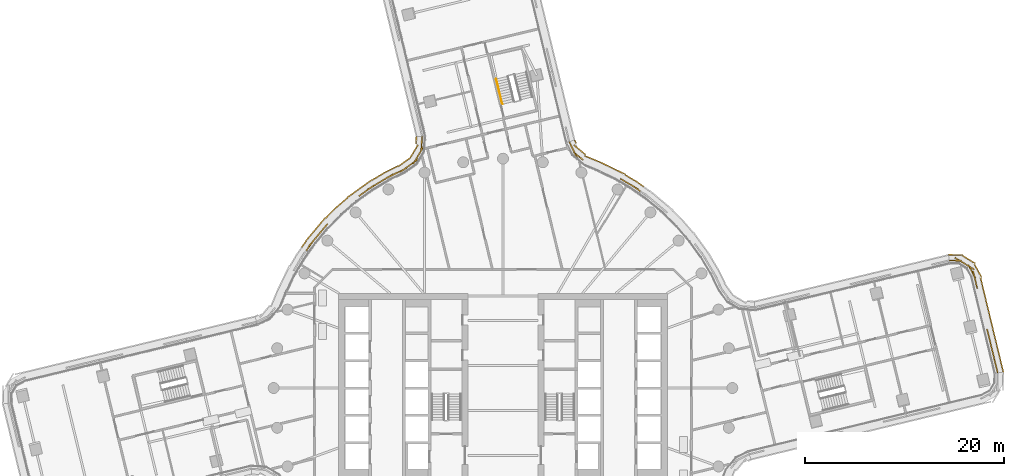
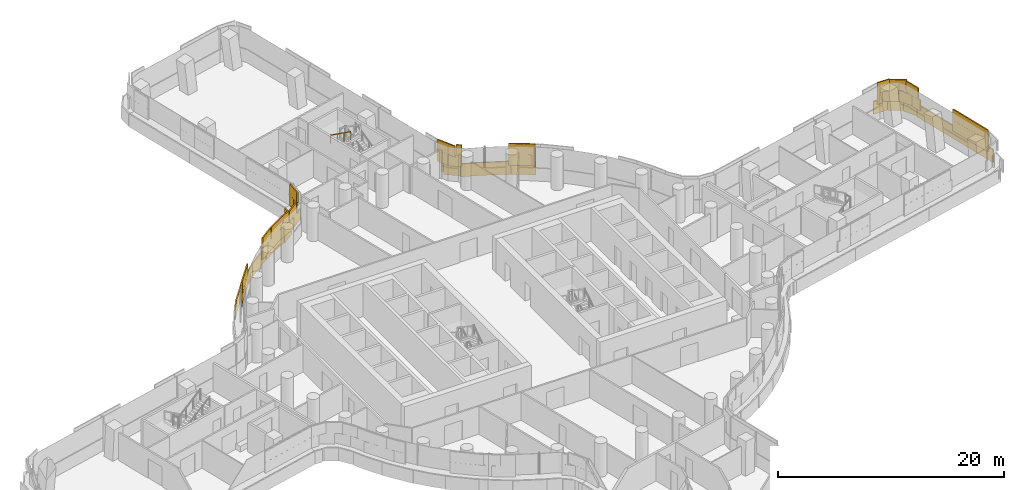
# One storey, part 30 of 33: 3 coverings, 1 railing.
"""IFC4 building model written with IfcOpenShell, lengths in metres."""

from ifc_helpers import new_model, si_unit, direction, frame, origin, origin_2d, place, context, subcontext, project, spatial, rectangle, circle, extrude, material, layer, layer_set, type_object, element, save


model = new_model("IFC4")

# Units and contexts
model_context = context("Model", 3, precision=1e-05, world=origin(), true_north=direction((0.0, 1.0)))
body_context = subcontext(model_context, "Body", "Model", "MODEL_VIEW")
ifc_project = project(units=[si_unit("LENGTHUNIT", "METRE"), si_unit("AREAUNIT", "SQUARE_METRE"), si_unit("VOLUMEUNIT", "CUBIC_METRE"), si_unit("PLANEANGLEUNIT", "RADIAN"), si_unit("MASSUNIT", "GRAM", prefix="KILO")], contexts=[model_context])

# Site, building, storey
site_placement = place(None, origin())
site = spatial("IfcSite", under=ifc_project, at=site_placement, CompositionType="ELEMENT")
building_placement = place(site_placement, origin())
building = spatial("IfcBuilding", under=site, at=building_placement, Name="Tamarind Cross Interchange Tower", CompositionType="ELEMENT")
storey_placement = place(building_placement, frame((0.0, 0.0, 83.5)))
storey = spatial("IfcBuildingStorey", under=building, at=storey_placement, Name="L19", CompositionType="ELEMENT", Elevation=83.5)

# Railing
ifc_material_1 = material(Name="Stair handrail")
railing_type = type_object("IfcRailingType", Name="Stair handrail", PredefinedType="HANDRAIL", material=ifc_material_1)
railing_placement = place(storey_placement, frame((-0.6806640625, 30.99169921875, 2.04541015625)))
element("IfcRailing", 1, at=railing_placement, inside=storey, type_object=railing_type, Name="L19 ST4 stair handrail 2", PredefinedType="HANDRAIL", context=body_context, shape_type="SweptSolid", body=[
    extrude(circle(Radius=0.02392578125, at=origin_2d()), frame((0.0, 0.0, 0.8759765625), z_axis=(0.196395776398, -0.812910466723, 0.548274814399), x_axis=(0.972034184093, 0.234839402475, 0.0)), (0.0, 0.0, 1.0), 3.10888671875),
    extrude(circle(Radius=0.02099609375, at=origin_2d()), origin(), (0.0, 0.0, 1.0), 0.851806640625),
    extrude(circle(Radius=0.02099609375, at=origin_2d()), frame((0.20361328125, -0.842529296875, 0.568115234375)), (0.0, 0.0, 1.0), 0.851806640625),
    extrude(circle(Radius=0.02099609375, at=origin_2d()), frame((0.406982421875, -1.684814453125, 1.136474609375)), (0.0, 0.0, 1.0), 0.851806640625),
    extrude(circle(Radius=0.02099609375, at=origin_2d()), frame((0.610595703125, -2.52734375, 1.70458984375)), (0.0, 0.0, 1.0), 0.851806640625),
])

# Coverings
ifc_material_2 = material(Name="Terracotta", Category="masonry")
ifc_layer = layer(ifc_material_2, 0.1201171875)
ifc_layer_set = layer_set([ifc_layer], Name="Terracotta")
covering_type = type_object("IfcCoveringType", Name="Terracotta baguette screen unit", PredefinedType="MOLDING", material=ifc_layer_set)
covering_1_placement = place(storey_placement, origin())
element("IfcCovering", 2, at=covering_1_placement, inside=storey, type_object=covering_type, Name="SCR-L19-02-00", PredefinedType="MOLDING", context=body_context, shape_type="SweptSolid", body=[
    extrude(rectangle(XDim=0.760009765625, YDim=0.1201171875, at=origin_2d()), frame((-8.135009765625, 24.889892578125, 1.404052734375), z_axis=(0.0, 0.0, 1.0), x_axis=(-0.06617526139, -0.997808014991, 0.0)), (0.0, 0.0, 1.0), 1.1669921875),
    extrude(rectangle(XDim=1.52001953125, YDim=0.1201171875, at=origin_2d()), frame((-8.23486328125, 23.775146484375, 1.404052734375), z_axis=(0.0, 0.0, 1.0), x_axis=(-0.511685343563, -0.859172921584, 0.0)), (0.0, 0.0, 1.0), 1.1669921875),
    extrude(rectangle(XDim=1.52001953125, YDim=0.1201171875, at=origin_2d()), frame((-9.073486328125, 22.551513671875, 1.404052734375), z_axis=(0.0, 0.0, 1.0), x_axis=(-0.811998665144, -0.583659290857, 0.0)), (0.0, 0.0, 1.0), 1.1669921875),
    extrude(rectangle(XDim=1.52001953125, YDim=0.1201171875, at=origin_2d()), frame((-10.32958984375, 21.739501953125, 1.404052734375), z_axis=(0.0, 0.0, 1.0), x_axis=(-0.89632521848, -0.443397229037, 0.0)), (0.0, 0.0, 1.0), 1.1669921875),
    extrude(rectangle(XDim=1.52001953125, YDim=0.1201171875, at=origin_2d()), frame((-11.668701171875, 21.06494140625, 1.404052734375), z_axis=(0.0, 0.0, 1.0), x_axis=(-0.856843065292, -0.515577308909, 0.0)), (0.0, 0.0, 1.0), 1.1669921875),
    extrude(rectangle(XDim=1.52001953125, YDim=0.1201171875, at=origin_2d()), frame((-12.9541015625, 20.29150390625, 1.404052734375), z_axis=(0.0, 0.0, 1.0), x_axis=(-0.856843065292, -0.515577308909, 0.0)), (0.0, 0.0, 1.0), 1.1669921875),
    extrude(rectangle(XDim=1.0859375, YDim=0.1201171875, at=origin_2d()), frame((-14.015380859375, 19.563232421875, 1.404052734375), z_axis=(0.0, 0.0, 1.0), x_axis=(-0.811340475102, -0.584573890505, 0.0)), (0.0, 0.0, 1.0), 1.1669921875),
    extrude(rectangle(XDim=0.734130859375, YDim=0.1201171875, at=origin_2d()), frame((-17.828125, 16.192138671875, 1.404052734375), z_axis=(0.0, 0.0, 1.0), x_axis=(-0.643009266048, -0.765858396687, 0.0)), (0.0, 0.0, 1.0), 1.1669921875),
    extrude(rectangle(XDim=1.52001953125, YDim=0.1201171875, at=origin_2d()), frame((-18.543212890625, 15.34033203125, 1.404052734375), z_axis=(0.0, 0.0, 1.0), x_axis=(-0.643009266048, -0.765858396687, 0.0)), (0.0, 0.0, 1.0), 1.1669921875),
    extrude(rectangle(XDim=1.221923828125, YDim=0.1201171875, at=origin_2d()), frame((-19.380126953125, 14.27490234375, 1.404052734375), z_axis=(0.0, 0.0, 1.0), x_axis=(-0.577568978284, -0.816341886298, 0.0)), (0.0, 0.0, 1.0), 1.1669921875),
    extrude(rectangle(XDim=1.510009765625, YDim=0.1201171875, at=origin_2d()), frame((-8.15966796875, 24.515625, 2.5791015625), z_axis=(0.0, 0.0, 1.0), x_axis=(-0.06617526139, -0.997808014991, 0.0)), (0.0, 0.0, 1.0), 1.1669921875),
    extrude(rectangle(XDim=1.52001953125, YDim=0.1201171875, at=origin_2d()), frame((-8.61865234375, 23.130859375, 2.5791015625), z_axis=(0.0, 0.0, 1.0), x_axis=(-0.511685343563, -0.859172921584, 0.0)), (0.0, 0.0, 1.0), 1.1669921875),
    extrude(rectangle(XDim=1.52001953125, YDim=0.1201171875, at=origin_2d()), frame((-9.682373046875, 22.11376953125, 2.5791015625), z_axis=(0.0, 0.0, 1.0), x_axis=(-0.811998665144, -0.583659290857, 0.0)), (0.0, 0.0, 1.0), 1.1669921875),
    extrude(rectangle(XDim=1.52001953125, YDim=0.1201171875, at=origin_2d()), frame((-11.001708984375, 21.406982421875, 2.5791015625), z_axis=(0.0, 0.0, 1.0), x_axis=(-0.89632521848, -0.443397229037, 0.0)), (0.0, 0.0, 1.0), 1.1669921875),
    extrude(rectangle(XDim=1.52001953125, YDim=0.1201171875, at=origin_2d()), frame((-12.3115234375, 20.67822265625, 2.5791015625), z_axis=(0.0, 0.0, 1.0), x_axis=(-0.856843065292, -0.515577308909, 0.0)), (0.0, 0.0, 1.0), 1.1669921875),
    extrude(rectangle(XDim=1.52001953125, YDim=0.1201171875, at=origin_2d()), frame((-13.578857421875, 19.877685546875, 2.5791015625), z_axis=(0.0, 0.0, 1.0), x_axis=(-0.811340475102, -0.584573890505, 0.0)), (0.0, 0.0, 1.0), 1.1669921875),
    extrude(rectangle(XDim=0.3359375, YDim=0.1201171875, at=origin_2d()), frame((-14.319580078125, 19.343994140625, 2.5791015625), z_axis=(0.0, 0.0, 1.0), x_axis=(-0.811340475102, -0.584573890505, 0.0)), (0.0, 0.0, 1.0), 1.1669921875),
    extrude(rectangle(XDim=1.484130859375, YDim=0.1201171875, at=origin_2d()), frame((-18.0693359375, 15.90478515625, 2.5791015625), z_axis=(0.0, 0.0, 1.0), x_axis=(-0.643009266048, -0.765858396687, 0.0)), (0.0, 0.0, 1.0), 1.1669921875),
    extrude(rectangle(XDim=1.52001953125, YDim=0.1201171875, at=origin_2d()), frame((-19.025390625, 14.765869140625, 2.5791015625), z_axis=(0.0, 0.0, 1.0), x_axis=(-0.643009266048, -0.765858396687, 0.0)), (0.0, 0.0, 1.0), 1.1669921875),
    extrude(rectangle(XDim=0.471923828125, YDim=0.1201171875, at=origin_2d()), frame((-19.5966796875, 13.96875, 2.5791015625), z_axis=(0.0, 0.0, 1.0), x_axis=(-0.577568978284, -0.816341886298, 0.0)), (0.0, 0.0, 1.0), 1.1669921875),
    extrude(rectangle(XDim=0.760009765625, YDim=0.1201171875, at=origin_2d()), frame((-8.7138671875, 24.835693359375, 0.00390625), z_axis=(0.0, 0.0, 1.0), x_axis=(-0.06617526139, -0.997808014991, 0.0)), (0.0, 0.0, 1.0), 1.39208984375),
    extrude(rectangle(XDim=1.52001953125, YDim=0.1201171875, at=origin_2d()), frame((-8.91357421875, 23.75732421875, 0.00390625), z_axis=(0.0, 0.0, 1.0), x_axis=(-0.511685343563, -0.859172921584, 0.0)), (0.0, 0.0, 1.0), 1.39208984375),
    extrude(rectangle(XDim=1.52001953125, YDim=0.1201171875, at=origin_2d()), frame((-9.89697265625, 22.66650390625, 0.00390625), z_axis=(0.0, 0.0, 1.0), x_axis=(-0.811998665144, -0.583659290857, 0.0)), (0.0, 0.0, 1.0), 1.39208984375),
    extrude(rectangle(XDim=1.52001953125, YDim=0.1201171875, at=origin_2d()), frame((-11.207763671875, 21.945556640625, 0.00390625), z_axis=(0.0, 0.0, 1.0), x_axis=(-0.89632521848, -0.443397229037, 0.0)), (0.0, 0.0, 1.0), 1.39208984375),
    extrude(rectangle(XDim=1.52001953125, YDim=0.1201171875, at=origin_2d()), frame((-12.5205078125, 21.22216796875, 0.00390625), z_axis=(0.0, 0.0, 1.0), x_axis=(-0.856843065292, -0.515577308909, 0.0)), (0.0, 0.0, 1.0), 1.39208984375),
    extrude(rectangle(XDim=1.52001953125, YDim=0.1201171875, at=origin_2d()), frame((-13.793701171875, 20.430419921875, 0.00390625), z_axis=(0.0, 0.0, 1.0), x_axis=(-0.811340475102, -0.584573890505, 0.0)), (0.0, 0.0, 1.0), 1.39208984375),
    extrude(rectangle(XDim=1.52001953125, YDim=0.1201171875, at=origin_2d()), frame((-15.0107421875, 19.553466796875, 0.00390625), z_axis=(0.0, 0.0, 1.0), x_axis=(-0.811340475102, -0.584573890505, 0.0)), (0.0, 0.0, 1.0), 1.39208984375),
    extrude(rectangle(XDim=1.52001953125, YDim=0.1201171875, at=origin_2d()), frame((-16.1650390625, 18.596923828125, 0.00390625), z_axis=(0.0, 0.0, 1.0), x_axis=(-0.760295606781, -0.64957723968, 0.0)), (0.0, 0.0, 1.0), 1.39208984375),
    extrude(rectangle(XDim=1.52001953125, YDim=0.1201171875, at=origin_2d()), frame((-17.2666015625, 17.58056640625, 0.00390625), z_axis=(0.0, 0.0, 1.0), x_axis=(-0.704057148523, -0.710143317658, 0.0)), (0.0, 0.0, 1.0), 1.39208984375),
    extrude(rectangle(XDim=1.52001953125, YDim=0.1201171875, at=origin_2d()), frame((-18.313232421875, 16.5068359375, 0.00390625), z_axis=(0.0, 0.0, 1.0), x_axis=(-0.643009266048, -0.765858396687, 0.0)), (0.0, 0.0, 1.0), 1.39208984375),
    extrude(rectangle(XDim=1.52001953125, YDim=0.1201171875, at=origin_2d()), frame((-19.27783203125, 15.358154296875, 0.00390625), z_axis=(0.0, 0.0, 1.0), x_axis=(-0.643009266048, -0.765858396687, 0.0)), (0.0, 0.0, 1.0), 1.39208984375),
    extrude(rectangle(XDim=0.814208984375, YDim=0.1201171875, at=origin_2d()), frame((-19.965576171875, 14.441162109375, 0.00390625), z_axis=(0.0, 0.0, 1.0), x_axis=(-0.577568978284, -0.816341886298, 0.0)), (0.0, 0.0, 1.0), 1.39208984375),
])
covering_2_placement = place(storey_placement, origin())
element("IfcCovering", 3, at=covering_2_placement, inside=storey, type_object=covering_type, Name="SCR-L19-12-00", PredefinedType="MOLDING", context=body_context, shape_type="SweptSolid", body=[
    extrude(rectangle(XDim=0.760009765625, YDim=0.1201171875, at=origin_2d()), frame((49.530517578125, 1.881103515625, 1.404052734375), z_axis=(0.0, 0.0, 1.0), x_axis=(-0.234843537027, 0.972033185193, 0.0)), (0.0, 0.0, 1.0), 1.1669921875),
    extrude(rectangle(XDim=1.52001953125, YDim=0.1201171875, at=origin_2d()), frame((49.266357421875, 2.974609375, 1.404052734375), z_axis=(0.0, 0.0, 1.0), x_axis=(-0.234843537027, 0.972033185193, 0.0)), (0.0, 0.0, 1.0), 1.1669921875),
    extrude(rectangle(XDim=1.52001953125, YDim=0.1201171875, at=origin_2d()), frame((48.9140625, 4.4326171875, 1.404052734375), z_axis=(0.0, 0.0, 1.0), x_axis=(-0.234843537027, 0.972033185193, 0.0)), (0.0, 0.0, 1.0), 1.1669921875),
    extrude(rectangle(XDim=0.784912109375, YDim=0.1201171875, at=origin_2d()), frame((48.64697265625, 5.538330078125, 1.404052734375), z_axis=(0.0, 0.0, 1.0), x_axis=(-0.234843537027, 0.972033185193, 0.0)), (0.0, 0.0, 1.0), 1.1669921875),
    extrude(rectangle(XDim=1.03515625, YDim=0.1201171875, at=origin_2d()), frame((47.44921875, 10.49560546875, 1.404052734375), z_axis=(0.0, 0.0, 1.0), x_axis=(-0.234843537027, 0.972033185193, 0.0)), (0.0, 0.0, 1.0), 1.1669921875),
    extrude(rectangle(XDim=1.52001953125, YDim=0.1201171875, at=origin_2d()), frame((47.036865234375, 11.67822265625, 1.404052734375), z_axis=(0.0, 0.0, 1.0), x_axis=(-0.478422138351, 0.878129977586, 0.0)), (0.0, 0.0, 1.0), 1.1669921875),
    extrude(rectangle(XDim=1.52001953125, YDim=0.1201171875, at=origin_2d()), frame((45.979736328125, 12.67236328125, 1.404052734375), z_axis=(0.0, 0.0, 1.0), x_axis=(-0.853390714338, 0.521271799238, 0.0)), (0.0, 0.0, 1.0), 1.1669921875),
    extrude(rectangle(XDim=0.509521484375, YDim=0.1201171875, at=origin_2d()), frame((45.00634765625, 12.785888671875, 1.404052734375), z_axis=(0.0, 0.0, 1.0), x_axis=(-0.99969393759, 0.024739263248, 0.0)), (0.0, 0.0, 1.0), 1.1669921875),
    extrude(rectangle(XDim=1.510009765625, YDim=0.1201171875, at=origin_2d()), frame((49.442626953125, 2.24560546875, 2.5791015625), z_axis=(0.0, 0.0, 1.0), x_axis=(-0.234843537027, 0.972033185193, 0.0)), (0.0, 0.0, 1.0), 1.1669921875),
    extrude(rectangle(XDim=1.52001953125, YDim=0.1201171875, at=origin_2d()), frame((49.09033203125, 3.70361328125, 2.5791015625), z_axis=(0.0, 0.0, 1.0), x_axis=(-0.234843537027, 0.972033185193, 0.0)), (0.0, 0.0, 1.0), 1.1669921875),
    extrude(rectangle(XDim=1.52001953125, YDim=0.1201171875, at=origin_2d()), frame((48.738037109375, 5.161865234375, 2.5791015625), z_axis=(0.0, 0.0, 1.0), x_axis=(-0.234843537027, 0.972033185193, 0.0)), (0.0, 0.0, 1.0), 1.1669921875),
    extrude(rectangle(XDim=1.52001953125, YDim=0.1201171875, at=origin_2d()), frame((47.328857421875, 10.993896484375, 2.5791015625), z_axis=(0.0, 0.0, 1.0), x_axis=(-0.234843537027, 0.972033185193, 0.0)), (0.0, 0.0, 1.0), 1.1669921875),
    extrude(rectangle(XDim=1.52001953125, YDim=0.1201171875, at=origin_2d()), frame((46.619873046875, 12.281494140625, 2.5791015625), z_axis=(0.0, 0.0, 1.0), x_axis=(-0.853390714338, 0.521271799238, 0.0)), (0.0, 0.0, 1.0), 1.1669921875),
    extrude(rectangle(XDim=1.259521484375, YDim=0.1201171875, at=origin_2d()), frame((45.38134765625, 12.776611328125, 2.5791015625), z_axis=(0.0, 0.0, 1.0), x_axis=(-0.99969393759, 0.024739263248, 0.0)), (0.0, 0.0, 1.0), 1.1669921875),
    extrude(rectangle(XDim=0.760009765625, YDim=0.1201171875, at=origin_2d()), frame((50.105224609375, 1.947265625, 0.00390625), z_axis=(0.0, 0.0, 1.0), x_axis=(-0.234843537027, 0.972033185193, 0.0)), (0.0, 0.0, 1.0), 1.39208984375),
    extrude(rectangle(XDim=1.52001953125, YDim=0.1201171875, at=origin_2d()), frame((49.842041015625, 3.0361328125, 0.00390625), z_axis=(0.0, 0.0, 1.0), x_axis=(-0.234843537027, 0.972033185193, 0.0)), (0.0, 0.0, 1.0), 1.39208984375),
    extrude(rectangle(XDim=1.52001953125, YDim=0.1201171875, at=origin_2d()), frame((49.48974609375, 4.494140625, 0.00390625), z_axis=(0.0, 0.0, 1.0), x_axis=(-0.234843537027, 0.972033185193, 0.0)), (0.0, 0.0, 1.0), 1.39208984375),
    extrude(rectangle(XDim=1.52001953125, YDim=0.1201171875, at=origin_2d()), frame((49.137451171875, 5.9521484375, 0.00390625), z_axis=(0.0, 0.0, 1.0), x_axis=(-0.234843537027, 0.972033185193, 0.0)), (0.0, 0.0, 1.0), 1.39208984375),
    extrude(rectangle(XDim=1.52001953125, YDim=0.1201171875, at=origin_2d()), frame((48.785400390625, 7.41015625, 0.00390625), z_axis=(0.0, 0.0, 1.0), x_axis=(-0.234843537027, 0.972033185193, 0.0)), (0.0, 0.0, 1.0), 1.39208984375),
    extrude(rectangle(XDim=1.52001953125, YDim=0.1201171875, at=origin_2d()), frame((48.43310546875, 8.8681640625, 0.00390625), z_axis=(0.0, 0.0, 1.0), x_axis=(-0.234843537027, 0.972033185193, 0.0)), (0.0, 0.0, 1.0), 1.39208984375),
    extrude(rectangle(XDim=1.52001953125, YDim=0.1201171875, at=origin_2d()), frame((48.080810546875, 10.326171875, 0.00390625), z_axis=(0.0, 0.0, 1.0), x_axis=(-0.234843537027, 0.972033185193, 0.0)), (0.0, 0.0, 1.0), 1.39208984375),
    extrude(rectangle(XDim=1.52001953125, YDim=0.1201171875, at=origin_2d()), frame((47.6494140625, 11.75390625, 0.00390625), z_axis=(0.0, 0.0, 1.0), x_axis=(-0.478422138351, 0.878129977586, 0.0)), (0.0, 0.0, 1.0), 1.39208984375),
    extrude(rectangle(XDim=1.52001953125, YDim=0.1201171875, at=origin_2d()), frame((46.73486328125, 12.8837890625, 0.00390625), z_axis=(0.0, 0.0, 1.0), x_axis=(-0.853390714338, 0.521271799238, 0.0)), (0.0, 0.0, 1.0), 1.39208984375),
    extrude(rectangle(XDim=1.4267578125, YDim=0.1201171875, at=origin_2d()), frame((45.408935546875, 13.35009765625, 0.00390625), z_axis=(0.0, 0.0, 1.0), x_axis=(-0.99969393759, 0.024739263248, 0.0)), (0.0, 0.0, 1.0), 1.39208984375),
])
covering_3_placement = place(storey_placement, origin())
element("IfcCovering", 4, at=covering_3_placement, inside=storey, type_object=covering_type, Name="SCR-L19-14-01", PredefinedType="MOLDING", context=body_context, shape_type="SweptSolid", body=[
    extrude(rectangle(XDim=0.298095703125, YDim=0.1201171875, at=origin_2d()), frame((13.66259765625, 19.813232421875, 1.404052734375), z_axis=(0.0, 0.0, 1.0), x_axis=(-0.816341886298, 0.577568978284, 0.0)), (0.0, 0.0, 1.0), 1.1669921875),
    extrude(rectangle(XDim=1.52001953125, YDim=0.1201171875, at=origin_2d()), frame((12.92431640625, 20.31640625, 1.404052734375), z_axis=(0.0, 0.0, 1.0), x_axis=(-0.861248933065, 0.508183308752, 0.0)), (0.0, 0.0, 1.0), 1.1669921875),
    extrude(rectangle(XDim=0.58251953125, YDim=0.1201171875, at=origin_2d()), frame((12.03173828125, 20.843017578125, 1.404052734375), z_axis=(0.0, 0.0, 1.0), x_axis=(-0.861248933065, 0.508183308752, 0.0)), (0.0, 0.0, 1.0), 1.1669921875),
    extrude(rectangle(XDim=1.237548828125, YDim=0.1201171875, at=origin_2d()), frame((7.568603515625, 23.252685546875, 1.404052734375), z_axis=(0.0, 0.0, 1.0), x_axis=(-0.77396322727, 0.633230544773, 0.0)), (0.0, 0.0, 1.0), 1.1669921875),
    extrude(rectangle(XDim=1.142822265625, YDim=0.1201171875, at=origin_2d()), frame((6.891845703125, 24.1875, 1.404052734375), z_axis=(0.0, 0.0, 1.0), x_axis=(-0.43992053999, 0.898036702198, 0.0)), (0.0, 0.0, 1.0), 1.1669921875),
    extrude(rectangle(XDim=1.048095703125, YDim=0.1201171875, at=origin_2d()), frame((13.3564453125, 20.02978515625, 2.5791015625), z_axis=(0.0, 0.0, 1.0), x_axis=(-0.816341886298, 0.577568978284, 0.0)), (0.0, 0.0, 1.0), 1.1669921875),
    extrude(rectangle(XDim=1.33251953125, YDim=0.1201171875, at=origin_2d()), frame((12.354736328125, 20.652587890625, 2.5791015625), z_axis=(0.0, 0.0, 1.0), x_axis=(-0.861248933065, 0.508183308752, 0.0)), (0.0, 0.0, 1.0), 1.1669921875),
    extrude(rectangle(XDim=0.487548828125, YDim=0.1201171875, at=origin_2d()), frame((7.85888671875, 23.01513671875, 2.5791015625), z_axis=(0.0, 0.0, 1.0), x_axis=(-0.77396322727, 0.633230544773, 0.0)), (0.0, 0.0, 1.0), 1.1669921875),
    extrude(rectangle(XDim=1.52001953125, YDim=0.1201171875, at=origin_2d()), frame((7.140869140625, 23.678955078125, 2.5791015625), z_axis=(0.0, 0.0, 1.0), x_axis=(-0.43992053999, 0.898036702198, 0.0)), (0.0, 0.0, 1.0), 1.1669921875),
    extrude(rectangle(XDim=0.392822265625, YDim=0.1201171875, at=origin_2d()), frame((6.726806640625, 24.5244140625, 2.5791015625), z_axis=(0.0, 0.0, 1.0), x_axis=(-0.43992053999, 0.898036702198, 0.0)), (0.0, 0.0, 1.0), 1.1669921875),
    extrude(rectangle(XDim=0.705810546875, YDim=0.1201171875, at=origin_2d()), frame((13.82080078125, 20.404541015625, 0.00390625), z_axis=(0.0, 0.0, 1.0), x_axis=(-0.816341886298, 0.577568978284, 0.0)), (0.0, 0.0, 1.0), 1.39208984375),
    extrude(rectangle(XDim=1.52001953125, YDim=0.1201171875, at=origin_2d()), frame((12.902587890625, 20.995849609375, 0.00390625), z_axis=(0.0, 0.0, 1.0), x_axis=(-0.861248933065, 0.508183308752, 0.0)), (0.0, 0.0, 1.0), 1.39208984375),
    extrude(rectangle(XDim=1.52001953125, YDim=0.1201171875, at=origin_2d()), frame((11.609375, 21.755126953125, 0.00390625), z_axis=(0.0, 0.0, 1.0), x_axis=(-0.900272776334, 0.435326231914, 0.0)), (0.0, 0.0, 1.0), 1.39208984375),
    extrude(rectangle(XDim=1.52001953125, YDim=0.1201171875, at=origin_2d()), frame((10.2587890625, 22.408203125, 0.00390625), z_axis=(0.0, 0.0, 1.0), x_axis=(-0.900272776334, 0.435326231914, 0.0)), (0.0, 0.0, 1.0), 1.39208984375),
    extrude(rectangle(XDim=1.52001953125, YDim=0.1201171875, at=origin_2d()), frame((8.885009765625, 23.0087890625, 0.00390625), z_axis=(0.0, 0.0, 1.0), x_axis=(-0.923563862157, 0.383444640748, 0.0)), (0.0, 0.0, 1.0), 1.39208984375),
    extrude(rectangle(XDim=1.52001953125, YDim=0.1201171875, at=origin_2d()), frame((7.687255859375, 23.897216796875, 0.00390625), z_axis=(0.0, 0.0, 1.0), x_axis=(-0.77396322727, 0.633230544773, 0.0)), (0.0, 0.0, 1.0), 1.39208984375),
    extrude(rectangle(XDim=0.376953125, YDim=0.1201171875, at=origin_2d()), frame((7.2685546875, 24.722900390625, 0.00390625), z_axis=(0.0, 0.0, 1.0), x_axis=(-0.43992053999, 0.898036702198, 0.0)), (0.0, 0.0, 1.0), 1.39208984375),
])

save(model, "model.ifc")
